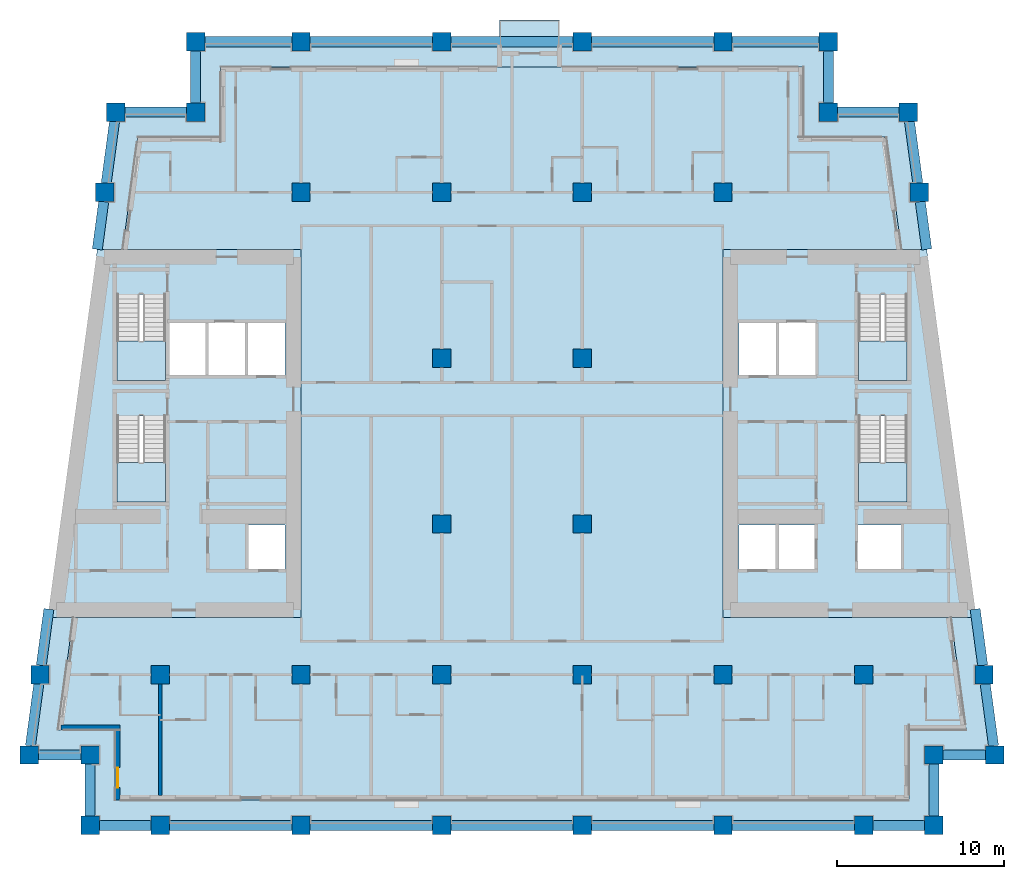
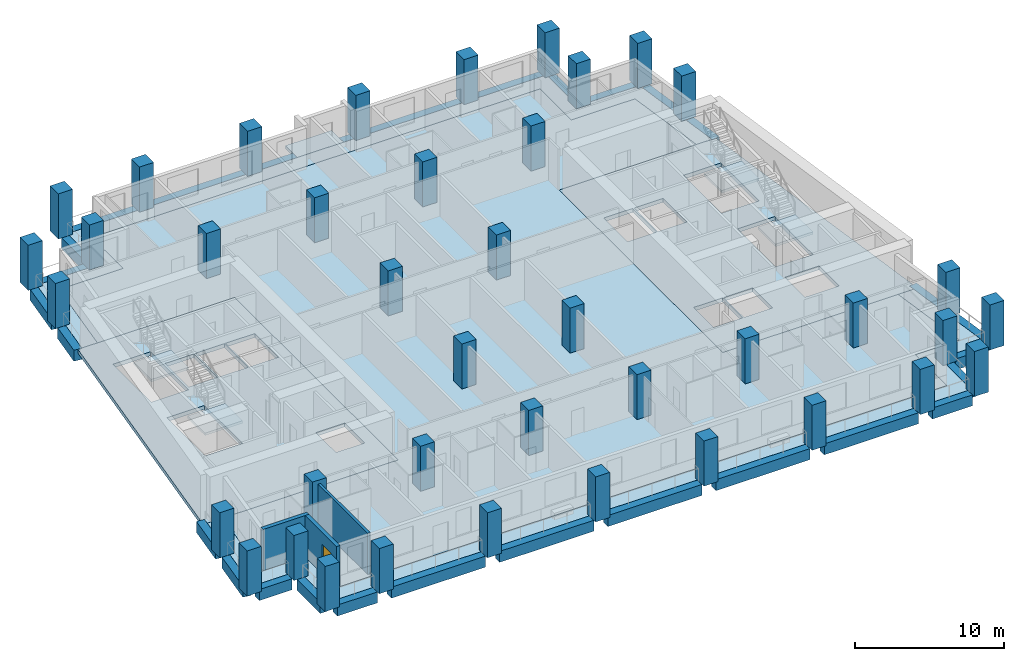
# One storey, part 1 of 13: 40 columns, 28 beams, 10 slabs, 3 walls, 1 door, 1 opening, 4 elements without a shape of their own.
"""IFC4 building model written with IfcOpenShell, lengths in metres."""

from ifc_helpers import new_model, si_unit, direction, frame, frame_2d, origin, origin_2d, place, context, subcontext, project, spatial, polyline, rectangle, outline, extrude, material, layer, layer_set, material_profile, profile_set, type_object, element, fill, aggregate, save


model = new_model("IFC4")

# Units and contexts
model_context = context("Model", 3, precision=1e-05, world=origin(), true_north=direction((0.0, 1.0)))
body_context = subcontext(model_context, "Body", "Model", "MODEL_VIEW")
ifc_project = project(units=[si_unit("LENGTHUNIT", "METRE"), si_unit("AREAUNIT", "SQUARE_METRE"), si_unit("VOLUMEUNIT", "CUBIC_METRE"), si_unit("PLANEANGLEUNIT", "RADIAN"), si_unit("MASSUNIT", "GRAM", prefix="KILO")], contexts=[model_context])

# Site, building, storey
site_placement = place(None, origin())
site = spatial("IfcSite", under=ifc_project, at=site_placement, CompositionType="ELEMENT")
building_placement = place(site_placement, origin())
building = spatial("IfcBuilding", under=site, at=building_placement, Name="Candeia Pilgrim Tower and Theatre", CompositionType="ELEMENT")
storey_placement = place(building_placement, frame((0.0, 0.0, 181.10009765625)))
storey = spatial("IfcBuildingStorey", under=building, at=storey_placement, Name="L43", CompositionType="ELEMENT", Elevation=181.10009765625)

# Columns
ifc_material_1 = material(Name="Concrete C60/75", Category="concrete")
ifc_material_profile_1 = material_profile(ifc_material_1, rectangle(XDim=1.10009765625, YDim=1.10009765625, at=origin_2d()))
ifc_profile_set_1 = profile_set([ifc_material_profile_1], Name="Concrete C60/75")
column_type = type_object("IfcColumnType", Name="RC 1100x1100 C60/75", PredefinedType="COLUMN", material=ifc_profile_set_1)
for number, where, z_axis, x_axis, name in (
    (1, (92.39990234375, 98.0, 0.0), (0.0, 0.0, 1.0), (1.0, 0.0, 0.0), "Column A1"),
    (2, (100.800048828125, 98.0, 0.0), (0.0, 0.0, 1.0), (1.0, 0.0, 0.0), "Column A2"),
    (3, (109.199951171875, 98.0, 0.0), (0.0, 0.0, 1.0), (1.0, 0.0, 0.0), "Column A3"),
    (4, (117.60009765625, 98.0, 0.0), (0.0, 0.0, 1.0), (1.0, 0.0, 0.0), "Column A4"),
    (5, (126.0, 98.0, 0.0), (0.0, 0.0, 1.0), (1.0, 0.0, 0.0), "Column A5"),
    (6, (134.39990234375, 98.0, 0.0), (0.0, 0.0, 1.0), (1.0, 0.0, 0.0), "Column A6"),
    (7, (88.199951171875, 98.0, 0.0), (0.0, 0.0, 1.0), (1.0, 0.0, 0.0), "Column AW"),
    (8, (138.60009765625, 98.0, 0.0), (0.0, 0.0, 1.0), (1.0, 0.0, 0.0), "Column AE"),
    (9, (88.199951171875, 102.199951171875, 0.0), (0.0, 0.0, 1.0), (1.0, 0.0, 0.0), "Column NSW"),
    (10, (138.60009765625, 102.199951171875, 0.0), (0.0, 0.0, 1.0), (1.0, 0.0, 0.0), "Column NSE"),
    (11, (94.5, 140.60009765625, 0.0), (0.0, 0.0, 1.0), (1.0, 0.0, 0.0), "Column NNW"),
    (12, (132.300048828125, 140.60009765625, 0.0), (0.0, 0.0, 1.0), (1.0, 0.0, 0.0), "Column NNE"),
    (13, (84.5654296875, 102.199951171875, 0.0), (0.0, 0.0, 1.0), (1.0, 0.0, 0.0), "Column LSW"),
    (14, (142.234619140625, 102.199951171875, 0.0), (0.0, 0.0, 1.0), (1.0, 0.0, 0.0), "Column LSE"),
    (15, (89.734619140625, 140.60009765625, 0.0), (0.0, 0.0, 1.0), (1.0, 0.0, 0.0), "Column LNW"),
    (16, (137.0654296875, 140.60009765625, 0.0), (0.0, 0.0, 1.0), (1.0, 0.0, 0.0), "Column LNE"),
    (17, (92.39990234375, 107.0, 0.0), (0.0, 0.0, 1.0), (1.0, 0.0, 0.0), "Column B1"),
    (18, (100.800048828125, 107.0, 0.0), (0.0, 0.0, 1.0), (1.0, 0.0, 0.0), "Column B2"),
    (19, (109.199951171875, 107.0, 0.0), (0.0, 0.0, 1.0), (1.0, 0.0, 0.0), "Column B3"),
    (20, (117.60009765625, 107.0, 0.0), (0.0, 0.0, 1.0), (1.0, 0.0, 0.0), "Column B4"),
    (21, (126.0, 107.0, 0.0), (0.0, 0.0, 1.0), (1.0, 0.0, 0.0), "Column B5"),
    (22, (134.39990234375, 107.0, 0.0), (0.0, 0.0, 1.0), (1.0, 0.0, 0.0), "Column B6"),
    (23, (85.21142578125, 107.0, 0.0), (0.0, 0.0, 1.0), (1.0, 0.0, 0.0), "Column BW"),
    (24, (141.58837890625, 107.0, 0.0), (0.0, 0.0, 1.0), (1.0, 0.0, 0.0), "Column BE"),
    (25, (109.199951171875, 116.0, 0.0), (0.0, 0.0, 1.0), (1.0, 0.0, 0.0), "Column C3"),
    (26, (117.60009765625, 116.0, 0.0), (0.0, 0.0, 1.0), (1.0, 0.0, 0.0), "Column C4"),
    (27, (109.199951171875, 125.89990234375, 0.0), (0.0, 0.0, 1.0), (1.0, 0.0, 0.0), "Column D3"),
    (28, (117.60009765625, 125.89990234375, 0.0), (0.0, 0.0, 1.0), (1.0, 0.0, 0.0), "Column D4"),
    (29, (100.800048828125, 135.800048828125, 0.0), (0.0, 0.0, 1.0), (1.0, 0.0, 0.0), "Column E2"),
    (30, (109.199951171875, 135.800048828125, 0.0), (0.0, 0.0, 1.0), (1.0, 0.0, 0.0), "Column E3"),
    (31, (117.60009765625, 135.800048828125, 0.0), (0.0, 0.0, 1.0), (1.0, 0.0, 0.0), "Column E4"),
    (32, (126.0, 135.800048828125, 0.0), (0.0, 0.0, 1.0), (1.0, 0.0, 0.0), "Column E5"),
    (33, (89.08837890625, 135.800048828125, 0.0), (0.0, 0.0, 1.0), (1.0, 0.0, 0.0), "Column EW"),
    (34, (137.71142578125, 135.800048828125, 0.0), (0.0, 0.0, 1.0), (1.0, 0.0, 0.0), "Column EE"),
    (35, (100.800048828125, 144.800048828125, 0.0), (0.0, 0.0, 1.0), (1.0, 0.0, 0.0), "Column F2"),
    (36, (109.199951171875, 144.800048828125, 0.0), (0.0, 0.0, 1.0), (1.0, 0.0, 0.0), "Column F3"),
    (37, (117.60009765625, 144.800048828125, 0.0), (0.0, 0.0, 1.0), (1.0, 0.0, 0.0), "Column F4"),
    (38, (126.0, 144.800048828125, 0.0), (0.0, 0.0, 1.0), (1.0, 0.0, 0.0), "Column F5"),
    (39, (94.5, 144.800048828125, 0.0), (0.0, 0.0, 1.0), (1.0, 0.0, 0.0), "Column FW"),
    (40, (132.300048828125, 144.800048828125, 0.0), (0.0, 0.0, 1.0), (1.0, 0.0, 0.0), "Column FE"),
):
    element("IfcColumn", number, at=place(storey_placement, frame(where, z_axis=z_axis, x_axis=x_axis)), inside=storey, type_object=column_type, Name=name, PredefinedType="COLUMN", context=body_context, shape_type="SweptSolid", body=[
        extrude(rectangle(XDim=1.10009765625, YDim=1.10009765625, at=origin_2d()), origin(), (0.0, 0.0, 1.0), 3.699951171875),
    ])

# Beams
ifc_material_profile_2 = material_profile(ifc_material_1, rectangle(XDim=0.60009765625, YDim=0.89990234375, at=origin_2d()))
ifc_profile_set_2 = profile_set([ifc_material_profile_2], Name="Concrete C60/75")
beam_type = type_object("IfcBeamType", Name="RC 600x900 C60/75", PredefinedType="BEAM", material=ifc_profile_set_2)
beam_1_placement = place(storey_placement, frame((88.75, 98.0, -0.4501953125), z_axis=(1.0, 0.0, 0.0), x_axis=(0.0, 1.0, 0.0)))
element("IfcBeam", 41, at=beam_1_placement, inside=storey, type_object=beam_type, Name="Spandrel beam L43-01", PredefinedType="BEAM", context=body_context, shape_type="SweptSolid", body=[
    extrude(rectangle(XDim=0.60009765625, YDim=0.89990234375, at=origin_2d()), origin(), (0.0, 0.0, 1.0), 3.10009765625),
])
beam_2_placement = place(storey_placement, frame((92.949951171875, 98.0, -0.4501953125), z_axis=(1.0, 0.0, 0.0), x_axis=(0.0, 1.0, 0.0)))
element("IfcBeam", 42, at=beam_2_placement, inside=storey, type_object=beam_type, Name="Spandrel beam L43-02", PredefinedType="BEAM", context=body_context, shape_type="SweptSolid", body=[
    extrude(rectangle(XDim=0.60009765625, YDim=0.89990234375, at=origin_2d()), origin(), (0.0, 0.0, 1.0), 7.300048828125),
])
beam_3_placement = place(storey_placement, frame((101.35009765625, 98.0, -0.4501953125), z_axis=(1.0, 0.0, 0.0), x_axis=(0.0, 1.0, 0.0)))
element("IfcBeam", 43, at=beam_3_placement, inside=storey, type_object=beam_type, Name="Spandrel beam L43-03", PredefinedType="BEAM", context=body_context, shape_type="SweptSolid", body=[
    extrude(rectangle(XDim=0.60009765625, YDim=0.89990234375, at=origin_2d()), origin(), (0.0, 0.0, 1.0), 7.2998046875),
])
for number, where, z_axis, x_axis, name in (
    (44, (109.75, 98.0, -0.4501953125), (1.0, 0.0, 0.0), (0.0, 1.0, 0.0), "Spandrel beam L43-04"),
    (45, (118.14990234375, 98.0, -0.4501953125), (1.0, 0.0, 0.0), (0.0, 1.0, 0.0), "Spandrel beam L43-05"),
    (46, (126.550048828125, 98.0, -0.4501953125), (1.0, 0.0, 0.0), (0.0, 1.0, 0.0), "Spandrel beam L43-06"),
):
    element("IfcBeam", number, at=place(storey_placement, frame(where, z_axis=z_axis, x_axis=x_axis)), inside=storey, type_object=beam_type, Name=name, PredefinedType="BEAM", context=body_context, shape_type="SweptSolid", body=[
        extrude(rectangle(XDim=0.60009765625, YDim=0.89990234375, at=origin_2d()), origin(), (0.0, 0.0, 1.0), 7.300048828125),
    ])
beam_4_placement = place(storey_placement, frame((134.949951171875, 98.0, -0.4501953125), z_axis=(1.0, 0.0, 0.0), x_axis=(0.0, 1.0, 0.0)))
element("IfcBeam", 47, at=beam_4_placement, inside=storey, type_object=beam_type, Name="Spandrel beam L43-07", PredefinedType="BEAM", context=body_context, shape_type="SweptSolid", body=[
    extrude(rectangle(XDim=0.60009765625, YDim=0.89990234375, at=origin_2d()), origin(), (0.0, 0.0, 1.0), 3.10009765625),
])
beam_5_placement = place(storey_placement, frame((138.60009765625, 98.550048828125, -0.4501953125), z_axis=(0.0, 1.0, 0.0), x_axis=(-1.0, 0.0, 0.0)))
element("IfcBeam", 48, at=beam_5_placement, inside=storey, type_object=beam_type, Name="Spandrel beam L43-08", PredefinedType="BEAM", context=body_context, shape_type="SweptSolid", body=[
    extrude(rectangle(XDim=0.60009765625, YDim=0.89990234375, at=origin_2d()), origin(), (0.0, 0.0, 1.0), 3.099853515625),
])
beam_6_placement = place(storey_placement, frame((139.14990234375, 102.199951171875, -0.4501953125), z_axis=(1.0, 0.0, 0.0), x_axis=(0.0, 1.0, 0.0)))
element("IfcBeam", 49, at=beam_6_placement, inside=storey, type_object=beam_type, Name="Spandrel beam L43-09", PredefinedType="BEAM", context=body_context, shape_type="SweptSolid", body=[
    extrude(rectangle(XDim=0.60009765625, YDim=0.89990234375, at=origin_2d()), origin(), (0.0, 0.0, 1.0), 2.53466796875),
])
beam_7_placement = place(storey_placement, frame((142.16064453125, 102.75, -0.4501953125), z_axis=(-0.133405836075, 0.991061492997, 0.0), x_axis=(-0.991061492997, -0.133405836075, 0.0)))
element("IfcBeam", 50, at=beam_7_placement, inside=storey, type_object=beam_type, Name="Spandrel beam L43-10", PredefinedType="BEAM", context=body_context, shape_type="SweptSolid", body=[
    extrude(rectangle(XDim=0.60009765625, YDim=0.89990234375, at=origin_2d()), origin(), (0.0, 0.0, 1.0), 3.7333984375),
])
beam_8_placement = place(storey_placement, frame((141.514404296875, 107.550048828125, -0.4501953125), z_axis=(-0.133432414187, 0.99105791498, 0.0), x_axis=(-0.99105791498, -0.133432414187, 0.0)))
element("IfcBeam", 51, at=beam_8_placement, inside=storey, type_object=beam_type, Name="Spandrel beam L43-11", PredefinedType="BEAM", context=body_context, shape_type="SweptSolid", body=[
    extrude(rectangle(XDim=0.60009765625, YDim=0.89990234375, at=origin_2d()), origin(), (0.0, 0.0, 1.0), 3.390380859375),
])
beam_9_placement = place(storey_placement, frame((138.169189453125, 132.39990234375, -0.4501953125), z_axis=(-0.133370319951, 0.99106627314, 0.0), x_axis=(-0.99106627314, -0.133370319951, 0.0)))
element("IfcBeam", 52, at=beam_9_placement, inside=storey, type_object=beam_type, Name="Spandrel beam L43-12", PredefinedType="BEAM", context=body_context, shape_type="SweptSolid", body=[
    extrude(rectangle(XDim=0.60009765625, YDim=0.89990234375, at=origin_2d()), origin(), (0.0, 0.0, 1.0), 2.875732421875),
])
beam_10_placement = place(storey_placement, frame((137.637451171875, 136.35009765625, -0.4501953125), z_axis=(-0.133405836075, 0.991061492997, 0.0), x_axis=(-0.991061492997, -0.133405836075, 0.0)))
element("IfcBeam", 53, at=beam_10_placement, inside=storey, type_object=beam_type, Name="Spandrel beam L43-13", PredefinedType="BEAM", context=body_context, shape_type="SweptSolid", body=[
    extrude(rectangle(XDim=0.60009765625, YDim=0.89990234375, at=origin_2d()), origin(), (0.0, 0.0, 1.0), 3.7333984375),
])
beam_11_placement = place(storey_placement, frame((136.515380859375, 140.60009765625, -0.4501953125), z_axis=(-1.0, 0.0, 0.0), x_axis=(0.0, -1.0, 0.0)))
element("IfcBeam", 54, at=beam_11_placement, inside=storey, type_object=beam_type, Name="Spandrel beam L43-14", PredefinedType="BEAM", context=body_context, shape_type="SweptSolid", body=[
    extrude(rectangle(XDim=0.60009765625, YDim=0.89990234375, at=origin_2d()), origin(), (0.0, 0.0, 1.0), 3.665283203125),
])
beam_12_placement = place(storey_placement, frame((132.300048828125, 141.14990234375, -0.4501953125), z_axis=(0.0, 1.0, 0.0), x_axis=(-1.0, 0.0, 0.0)))
element("IfcBeam", 55, at=beam_12_placement, inside=storey, type_object=beam_type, Name="Spandrel beam L43-15", PredefinedType="BEAM", context=body_context, shape_type="SweptSolid", body=[
    extrude(rectangle(XDim=0.60009765625, YDim=0.89990234375, at=origin_2d()), origin(), (0.0, 0.0, 1.0), 3.10009765625),
])
beam_13_placement = place(storey_placement, frame((131.75, 144.800048828125, -0.4501953125), z_axis=(-1.0, 0.0, 0.0), x_axis=(0.0, -1.0, 0.0)))
element("IfcBeam", 56, at=beam_13_placement, inside=storey, type_object=beam_type, Name="Spandrel beam L43-16", PredefinedType="BEAM", context=body_context, shape_type="SweptSolid", body=[
    extrude(rectangle(XDim=0.60009765625, YDim=0.89990234375, at=origin_2d()), origin(), (0.0, 0.0, 1.0), 5.199951171875),
])
for number, where, z_axis, x_axis, name in (
    (57, (125.449951171875, 144.800048828125, -0.4501953125), (-1.0, 0.0, 0.0), (0.0, -1.0, 0.0), "Spandrel beam L43-17"),
    (58, (117.050048828125, 144.800048828125, -0.4501953125), (-1.0, 0.0, 0.0), (0.0, -1.0, 0.0), "Spandrel beam L43-18"),
):
    element("IfcBeam", number, at=place(storey_placement, frame(where, z_axis=z_axis, x_axis=x_axis)), inside=storey, type_object=beam_type, Name=name, PredefinedType="BEAM", context=body_context, shape_type="SweptSolid", body=[
        extrude(rectangle(XDim=0.60009765625, YDim=0.89990234375, at=origin_2d()), origin(), (0.0, 0.0, 1.0), 7.300048828125),
    ])
beam_14_placement = place(storey_placement, frame((108.64990234375, 144.800048828125, -0.4501953125), z_axis=(-1.0, 0.0, 0.0), x_axis=(0.0, -1.0, 0.0)))
element("IfcBeam", 59, at=beam_14_placement, inside=storey, type_object=beam_type, Name="Spandrel beam L43-19", PredefinedType="BEAM", context=body_context, shape_type="SweptSolid", body=[
    extrude(rectangle(XDim=0.60009765625, YDim=0.89990234375, at=origin_2d()), origin(), (0.0, 0.0, 1.0), 7.2998046875),
])
beam_15_placement = place(storey_placement, frame((100.25, 144.800048828125, -0.4501953125), z_axis=(-1.0, 0.0, 0.0), x_axis=(0.0, -1.0, 0.0)))
element("IfcBeam", 60, at=beam_15_placement, inside=storey, type_object=beam_type, Name="Spandrel beam L43-20", PredefinedType="BEAM", context=body_context, shape_type="SweptSolid", body=[
    extrude(rectangle(XDim=0.60009765625, YDim=0.89990234375, at=origin_2d()), origin(), (0.0, 0.0, 1.0), 5.199951171875),
])
beam_16_placement = place(storey_placement, frame((94.5, 144.25, -0.4501953125), z_axis=(0.0, -1.0, 0.0), x_axis=(1.0, 0.0, 0.0)))
element("IfcBeam", 61, at=beam_16_placement, inside=storey, type_object=beam_type, Name="Spandrel beam L43-21", PredefinedType="BEAM", context=body_context, shape_type="SweptSolid", body=[
    extrude(rectangle(XDim=0.60009765625, YDim=0.89990234375, at=origin_2d()), origin(), (0.0, 0.0, 1.0), 3.10009765625),
])
beam_17_placement = place(storey_placement, frame((93.949951171875, 140.60009765625, -0.4501953125), z_axis=(-1.0, 0.0, 0.0), x_axis=(0.0, -1.0, 0.0)))
element("IfcBeam", 62, at=beam_17_placement, inside=storey, type_object=beam_type, Name="Spandrel beam L43-22", PredefinedType="BEAM", context=body_context, shape_type="SweptSolid", body=[
    extrude(rectangle(XDim=0.60009765625, YDim=0.89990234375, at=origin_2d()), origin(), (0.0, 0.0, 1.0), 3.665283203125),
])
beam_18_placement = place(storey_placement, frame((89.66064453125, 140.050048828125, -0.4501953125), z_axis=(-0.133405836075, -0.991061492997, 0.0), x_axis=(0.991061492997, -0.133405836075, 0.0)))
element("IfcBeam", 63, at=beam_18_placement, inside=storey, type_object=beam_type, Name="Spandrel beam L43-23", PredefinedType="BEAM", context=body_context, shape_type="SweptSolid", body=[
    extrude(rectangle(XDim=0.60009765625, YDim=0.89990234375, at=origin_2d()), origin(), (0.0, 0.0, 1.0), 3.7333984375),
])
beam_19_placement = place(storey_placement, frame((89.014404296875, 135.25, -0.4501953125), z_axis=(-0.133370319951, -0.99106627314, 0.0), x_axis=(0.99106627314, -0.133370319951, 0.0)))
element("IfcBeam", 64, at=beam_19_placement, inside=storey, type_object=beam_type, Name="Spandrel beam L43-24", PredefinedType="BEAM", context=body_context, shape_type="SweptSolid", body=[
    extrude(rectangle(XDim=0.60009765625, YDim=0.89990234375, at=origin_2d()), origin(), (0.0, 0.0, 1.0), 2.875732421875),
])
beam_20_placement = place(storey_placement, frame((85.73779296875, 110.91015625, -0.4501953125), z_axis=(-0.133361686371, -0.991067434945, 0.0), x_axis=(0.991067434945, -0.133361686371, 0.0)))
element("IfcBeam", 65, at=beam_20_placement, inside=storey, type_object=beam_type, Name="Spandrel beam L43-25", PredefinedType="BEAM", context=body_context, shape_type="SweptSolid", body=[
    extrude(rectangle(XDim=0.60009765625, YDim=0.89990234375, at=origin_2d()), origin(), (0.0, 0.0, 1.0), 3.390380859375),
])
beam_21_placement = place(storey_placement, frame((85.137451171875, 106.449951171875, -0.4501953125), z_axis=(-0.133405836075, -0.991061492997, 0.0), x_axis=(0.991061492997, -0.133405836075, 0.0)))
element("IfcBeam", 66, at=beam_21_placement, inside=storey, type_object=beam_type, Name="Spandrel beam L43-26", PredefinedType="BEAM", context=body_context, shape_type="SweptSolid", body=[
    extrude(rectangle(XDim=0.60009765625, YDim=0.89990234375, at=origin_2d()), origin(), (0.0, 0.0, 1.0), 3.7333984375),
])
beam_22_placement = place(storey_placement, frame((85.115478515625, 102.199951171875, -0.4501953125), z_axis=(1.0, 0.0, 0.0), x_axis=(0.0, 1.0, 0.0)))
element("IfcBeam", 67, at=beam_22_placement, inside=storey, type_object=beam_type, Name="Spandrel beam L43-27", PredefinedType="BEAM", context=body_context, shape_type="SweptSolid", body=[
    extrude(rectangle(XDim=0.60009765625, YDim=0.89990234375, at=origin_2d()), origin(), (0.0, 0.0, 1.0), 2.534423828125),
])
beam_23_placement = place(storey_placement, frame((88.199951171875, 101.64990234375, -0.4501953125), z_axis=(0.0, -1.0, 0.0), x_axis=(1.0, 0.0, 0.0)))
element("IfcBeam", 68, at=beam_23_placement, inside=storey, type_object=beam_type, Name="Spandrel beam L43-28", PredefinedType="BEAM", context=body_context, shape_type="SweptSolid", body=[
    extrude(rectangle(XDim=0.60009765625, YDim=0.89990234375, at=origin_2d()), origin(), (0.0, 0.0, 1.0), 3.099853515625),
])

# Slabs
ifc_material_2 = material(Name="Concrete C40/50", Category="concrete")
ifc_layer_1 = layer(ifc_material_2, 0.25)
ifc_layer_set_1 = layer_set([ifc_layer_1], Name="BK1 balcony slab 250")
slab_type_1 = type_object("IfcSlabType", Name="BK1 balcony slab 250", PredefinedType="USERDEFINED", material=ifc_layer_set_1)
slab_1_placement = place(storey_placement, frame((0.0, 0.0, -0.25)))
element("IfcSlab", 69, at=slab_1_placement, inside=storey, type_object=slab_type_1, Name="Balcony L43", ObjectType="BALCONY", PredefinedType="USERDEFINED", context=body_context, shape_type="SweptSolid", body=[
    extrude(outline(polyline([(112.64990234375, 144.5), (116.25, 144.5), (116.25, 146.10009765625), (112.64990234375, 146.10009765625), (112.64990234375, 144.5)])), origin(), (0.0, 0.0, 1.0), 0.25),
])
ifc_layer_2 = layer(ifc_material_1, 0.320068359375)
ifc_layer_set_2 = layer_set([ifc_layer_2], Name="FS-CORE 320 core floor")
slab_type_2 = type_object("IfcSlabType", Name="FS-CORE 320 core floor", PredefinedType="FLOOR", material=ifc_layer_set_2)
slab_2_placement = place(storey_placement, frame((0.0, 0.0, -0.320068359375)))
element("IfcSlab", 70, at=slab_2_placement, inside=storey, type_object=slab_type_2, Name="Core floor W L43", PredefinedType="FLOOR", context=body_context, shape_type="SweptSolid", body=[
    extrude(outline(polyline([(100.800048828125, 132.39990234375), (100.800048828125, 110.39990234375), (85.669189453125, 110.39990234375), (88.630859375, 132.39990234375), (100.800048828125, 132.39990234375)]), holes=[polyline([(97.59228515625, 128.050048828125), (97.59228515625, 124.85009765625), (99.85009765625, 124.85009765625), (99.85009765625, 128.050048828125), (97.59228515625, 128.050048828125)]), polyline([(97.613525390625, 113.25), (99.85009765625, 113.25), (99.85009765625, 115.949951171875), (97.613525390625, 115.949951171875), (97.613525390625, 113.25)]), polyline([(95.234619140625, 124.85009765625), (97.4921875, 124.85009765625), (97.4921875, 128.050048828125), (95.234619140625, 128.050048828125), (95.234619140625, 124.85009765625)]), polyline([(92.876953125, 128.050048828125), (92.876953125, 124.85009765625), (95.134765625, 124.85009765625), (95.134765625, 128.050048828125), (92.876953125, 128.050048828125)]), polyline([(89.802001953125, 122.455078125), (89.802001953125, 117.324951171875), (92.701904296875, 117.324951171875), (92.701904296875, 122.455078125), (89.802001953125, 122.455078125)]), polyline([(89.802001953125, 129.705078125), (89.802001953125, 124.574951171875), (92.701904296875, 124.574951171875), (92.701904296875, 129.705078125), (89.802001953125, 129.705078125)])]), origin(), (0.0, 0.0, 1.0), 0.320068359375),
])
slab_3_placement = place(storey_placement, frame((0.0, 0.0, -0.320068359375)))
element("IfcSlab", 71, at=slab_3_placement, inside=storey, type_object=slab_type_2, Name="Core floor E L43", PredefinedType="FLOOR", context=body_context, shape_type="SweptSolid", body=[
    extrude(outline(polyline([(138.169189453125, 132.39990234375), (141.130859375, 110.39990234375), (126.0, 110.39990234375), (126.0, 132.39990234375), (138.169189453125, 132.39990234375)]), holes=[polyline([(134.097900390625, 122.455078125), (134.097900390625, 117.324951171875), (136.998046875, 117.324951171875), (136.998046875, 122.455078125), (134.097900390625, 122.455078125)]), polyline([(134.097900390625, 129.705078125), (134.097900390625, 124.574951171875), (136.998046875, 124.574951171875), (136.998046875, 129.705078125), (134.097900390625, 129.705078125)]), polyline([(136.672607421875, 115.949951171875), (134.02294921875, 115.949951171875), (134.02294921875, 113.25), (136.672607421875, 113.25), (136.672607421875, 115.949951171875)]), polyline([(131.565185546875, 128.050048828125), (129.3076171875, 128.050048828125), (129.3076171875, 124.85009765625), (131.565185546875, 124.85009765625), (131.565185546875, 128.050048828125)]), polyline([(131.52294921875, 115.949951171875), (129.28662109375, 115.949951171875), (129.28662109375, 113.25), (131.52294921875, 113.25), (131.52294921875, 115.949951171875)]), polyline([(129.207763671875, 128.050048828125), (126.949951171875, 128.050048828125), (126.949951171875, 124.85009765625), (129.207763671875, 124.85009765625), (129.207763671875, 128.050048828125)]), polyline([(126.949951171875, 115.949951171875), (126.949951171875, 113.25), (129.1865234375, 113.25), (129.1865234375, 115.949951171875), (126.949951171875, 115.949951171875)])]), origin(), (0.0, 0.0, 1.0), 0.320068359375),
])
ifc_material_3 = material(Name="Concrete C50/60", Category="concrete")
ifc_layer_3 = layer(ifc_material_3, 0.320068359375)
ifc_layer_set_3 = layer_set([ifc_layer_3], Name="Floor slab 320 C50/60")
slab_type_3 = type_object("IfcSlabType", Name="Floor slab 320 C50/60", PredefinedType="FLOOR", material=ifc_layer_set_3)
slab_4_placement = place(storey_placement, frame((0.0, 0.0, -0.320068359375)))
element("IfcSlab", 72, at=slab_4_placement, inside=storey, type_object=slab_type_3, Name="Floor slab L43", PredefinedType="FLOOR", context=body_context, shape_type="SweptSolid", body=[
    extrude(outline(polyline([(96.0, 139.10009765625), (96.0, 143.300048828125), (130.800048828125, 143.300048828125), (130.800048828125, 139.10009765625), (135.753662109375, 139.10009765625), (136.65576171875, 132.39990234375), (126.0, 132.39990234375), (126.0, 110.39990234375), (139.6171875, 110.39990234375), (140.51904296875, 103.699951171875), (137.10009765625, 103.699951171875), (137.10009765625, 99.5), (89.699951171875, 99.5), (89.699951171875, 103.699951171875), (86.28076171875, 103.699951171875), (87.182861328125, 110.39990234375), (100.800048828125, 110.39990234375), (100.800048828125, 132.39990234375), (90.144287109375, 132.39990234375), (91.046142578125, 139.10009765625), (96.0, 139.10009765625)])), origin(), (0.0, 0.0, 1.0), 0.320068359375),
])
ifc_layer_4 = layer(ifc_material_2, 0.25)
ifc_layer_set_4 = layer_set([ifc_layer_4], Name="Loggia slab 250 C40/50")
slab_type_4 = type_object("IfcSlabType", Name="Loggia slab 250 C40/50", PredefinedType="FLOOR", material=ifc_layer_set_4)
slab_5_placement = place(storey_placement, frame((0.0, 0.0, -0.25)))
element("IfcSlab", 73, at=slab_5_placement, inside=storey, type_object=slab_type_4, Name="Loggia slab L43 1", PredefinedType="FLOOR", context=body_context, shape_type="SweptSolid", body=[
    extrude(outline(polyline([(87.182861328125, 110.39990234375), (86.28076171875, 103.699951171875), (89.699951171875, 103.699951171875), (89.699951171875, 99.5), (137.10009765625, 99.5), (137.10009765625, 103.699951171875), (140.51904296875, 103.699951171875), (139.6171875, 110.39990234375), (140.828125, 110.39990234375), (141.8916015625, 102.5), (138.300048828125, 102.5), (138.300048828125, 98.300048828125), (88.5, 98.300048828125), (88.5, 102.5), (84.908447265625, 102.5), (85.971923828125, 110.39990234375), (87.182861328125, 110.39990234375)])), origin(), (0.0, 0.0, 1.0), 0.25),
])
slab_6_placement = place(storey_placement, frame((0.0, 0.0, -0.25)))
element("IfcSlab", 74, at=slab_6_placement, inside=storey, type_object=slab_type_4, Name="Loggia slab L43 2", PredefinedType="FLOOR", context=body_context, shape_type="SweptSolid", body=[
    extrude(outline(polyline([(136.65576171875, 132.39990234375), (135.753662109375, 139.10009765625), (130.800048828125, 139.10009765625), (130.800048828125, 143.300048828125), (96.0, 143.300048828125), (96.0, 139.10009765625), (91.046142578125, 139.10009765625), (90.144287109375, 132.39990234375), (88.93359375, 132.39990234375), (89.996826171875, 140.300048828125), (94.800048828125, 140.300048828125), (94.800048828125, 144.5), (132.0, 144.5), (132.0, 140.300048828125), (136.802978515625, 140.300048828125), (137.866455078125, 132.39990234375), (136.65576171875, 132.39990234375)])), origin(), (0.0, 0.0, 1.0), 0.25),
])

# Stair, slab
stair_type = type_object("IfcStairType", Name="ST-TWR dog-leg escape stair", PredefinedType="HALF_TURN_STAIR", material=ifc_material_2)
stair_1_placement = place(storey_placement, origin())
stair_1 = element("IfcStair", 75, at=stair_1_placement, inside=storey, type_object=stair_type, Name="L43 Escape stair ST1", PredefinedType="HALF_TURN_STAIR")
ifc_layer_5 = layer(ifc_material_2, 0.199951171875)
ifc_layer_set_5 = layer_set([ifc_layer_5], Name="SL-LANDING stair landing")
slab_type_5 = type_object("IfcSlabType", Name="SL-LANDING stair landing", PredefinedType="LANDING", material=ifc_layer_set_5)
slab_7_placement = place(storey_placement, frame((0.0, 0.0, 1.64990234375)))
slab_7 = element("IfcSlab", 76, at=slab_7_placement, type_object=slab_type_5, Name="ST1 landing 1", PredefinedType="LANDING", context=body_context, shape_type="SweptSolid", body=[
    extrude(outline(polyline([(89.802001953125, 119.675048828125), (89.802001953125, 117.324951171875), (92.701904296875, 117.324951171875), (92.701904296875, 119.675048828125), (89.802001953125, 119.675048828125)])), origin(), (0.0, 0.0, 1.0), 0.199951171875),
])
aggregate(stair_1, [slab_7])

stair_2_placement = place(storey_placement, origin())
stair_2 = element("IfcStair", 77, at=stair_2_placement, inside=storey, type_object=stair_type, Name="L43 Escape stair ST2", PredefinedType="HALF_TURN_STAIR")
slab_8_placement = place(storey_placement, frame((0.0, 0.0, 1.64990234375)))
slab_8 = element("IfcSlab", 78, at=slab_8_placement, type_object=slab_type_5, Name="ST2 landing 1", PredefinedType="LANDING", context=body_context, shape_type="SweptSolid", body=[
    extrude(outline(polyline([(89.802001953125, 126.925048828125), (89.802001953125, 124.574951171875), (92.701904296875, 124.574951171875), (92.701904296875, 126.925048828125), (89.802001953125, 126.925048828125)])), origin(), (0.0, 0.0, 1.0), 0.199951171875),
])
aggregate(stair_2, [slab_8])

stair_3_placement = place(storey_placement, origin())
stair_3 = element("IfcStair", 79, at=stair_3_placement, inside=storey, type_object=stair_type, Name="L43 Escape stair ST3", PredefinedType="HALF_TURN_STAIR")
slab_9_placement = place(storey_placement, frame((0.0, 0.0, 1.64990234375)))
slab_9 = element("IfcSlab", 80, at=slab_9_placement, type_object=slab_type_5, Name="ST3 landing 1", PredefinedType="LANDING", context=body_context, shape_type="SweptSolid", body=[
    extrude(outline(polyline([(134.097900390625, 119.675048828125), (134.097900390625, 117.324951171875), (136.998046875, 117.324951171875), (136.998046875, 119.675048828125), (134.097900390625, 119.675048828125)])), origin(), (0.0, 0.0, 1.0), 0.199951171875),
])
aggregate(stair_3, [slab_9])

stair_4_placement = place(storey_placement, origin())
stair_4 = element("IfcStair", 81, at=stair_4_placement, inside=storey, type_object=stair_type, Name="L43 Escape stair ST4", PredefinedType="HALF_TURN_STAIR")
slab_10_placement = place(storey_placement, frame((0.0, 0.0, 1.64990234375)))
slab_10 = element("IfcSlab", 82, at=slab_10_placement, type_object=slab_type_5, Name="ST4 landing 1", PredefinedType="LANDING", context=body_context, shape_type="SweptSolid", body=[
    extrude(outline(polyline([(134.097900390625, 126.925048828125), (134.097900390625, 124.574951171875), (136.998046875, 124.574951171875), (136.998046875, 126.925048828125), (134.097900390625, 126.925048828125)])), origin(), (0.0, 0.0, 1.0), 0.199951171875),
])
aggregate(stair_4, [slab_10])

# Wall
ifc_material_4 = material(Name="Ceramic block masonry", Category="masonry")
ifc_layer_6 = layer(ifc_material_4, 0.300048828125)
ifc_layer_set_6 = layer_set([ifc_layer_6], Name="EW1 glazing-line wall 300")
wall_type_1 = type_object("IfcWallType", Name="EW1 glazing-line wall 300", PredefinedType="SOLIDWALL", material=ifc_layer_set_6)
wall_1_placement = place(storey_placement, frame((86.452392578125, 103.85009765625, 0.0), z_axis=(0.0, 0.0, 1.0), x_axis=(1.0, 0.0, 0.0)))
element("IfcWall", 83, at=wall_1_placement, inside=storey, type_object=wall_type_1, Name="External wall L43-10.0", PredefinedType="SOLIDWALL", context=body_context, shape_type="SweptSolid", body=[
    extrude(rectangle(XDim=3.547607421875, YDim=0.300048828125, at=frame_2d((1.77392578125, 0.0))), origin(), (0.0, 0.0, 1.0), 3.3798828125),
])

# Wall, opening, door
wall_2_placement = place(storey_placement, frame((89.85009765625, 103.85009765625, 0.0), z_axis=(0.0, 0.0, 1.0), x_axis=(0.0, -1.0, 0.0)))
wall_2 = element("IfcWall", 84, at=wall_2_placement, inside=storey, type_object=wall_type_1, Name="External wall L43-11.0", PredefinedType="SOLIDWALL", context=body_context, shape_type="SweptSolid", body=[
    extrude(rectangle(XDim=4.35009765625, YDim=0.300048828125, at=frame_2d((2.175048828125, 0.0))), origin(), (0.0, 0.0, 1.0), 3.3798828125),
])
opening_placement = place(wall_2_placement, frame((2.39990234375, 0.0, 0.0)))
opening = element("IfcOpeningElement", 85, at=opening_placement, cuts=wall_2, Name="Opening L43-ED419", PredefinedType="OPENING", context=body_context, shape_type="SweptSolid", body=[
    extrude(rectangle(XDim=1.199951171875, YDim=2.39990234375, at=frame_2d((0.60009765625, 1.199951171875))), frame((0.0, 0.16015625, 0.0), z_axis=(0.0, -1.0, 0.0), x_axis=(1.0, 0.0, 0.0)), (0.0, 0.0, 1.0), 0.320068359375),
])
ifc_material_5 = material(Name="Aluminium framed glazed door", Category="aluminium")
door_type = type_object("IfcDoorType", Name="Loggia door 1200x2400", OperationType="DOUBLE_DOOR_SINGLE_SWING", PredefinedType="DOOR", material=ifc_material_5)
door_placement = place(opening_placement, origin())
door = element("IfcDoor", 86, at=door_placement, inside=storey, type_object=door_type, Name="Loggia door L43-ED419", OperationType="DOUBLE_DOOR_SINGLE_SWING", OverallHeight=2.39990234375, OverallWidth=1.199951171875, PredefinedType="DOOR", context=body_context, shape_type="SweptSolid", body=[
    extrude(rectangle(XDim=1.199951171875, YDim=2.39990234375, at=frame_2d((0.60009765625, 1.199951171875))), frame((0.0, 0.02490234375, 0.0), z_axis=(0.0, -1.0, 0.0), x_axis=(1.0, 0.0, 0.0)), (0.0, 0.0, 1.0), 0.050048828125),
])
fill(opening, door)

# Wall
ifc_material_6 = material(Name="Gypsum board partition on steel studs", Category="steel")
ifc_layer_7 = layer(ifc_material_6, 0.199951171875)
ifc_layer_set_7 = layer_set([ifc_layer_7], Name="PW-200 party wall")
wall_type_2 = type_object("IfcWallType", Name="PW-200 party wall", PredefinedType="PARTITIONING", material=ifc_layer_set_7)
wall_3_placement = place(storey_placement, frame((92.39990234375, 99.7900390625, 0.0), z_axis=(0.0, 0.0, 1.0), x_axis=(0.0, 1.0, 0.0)))
element("IfcWall", 87, at=wall_3_placement, inside=storey, type_object=wall_type_2, Name="Party wall L43-058", PredefinedType="PARTITIONING", context=body_context, shape_type="SweptSolid", body=[
    extrude(rectangle(XDim=7.135009765625, YDim=0.199951171875, at=frame_2d((3.5673828125, 0.0))), origin(), (0.0, 0.0, 1.0), 3.3798828125),
])

save(model, "model.ifc")
